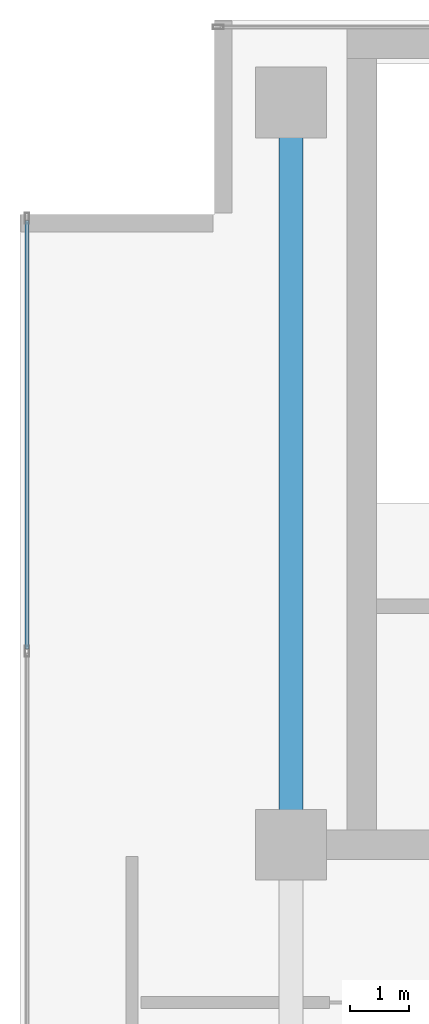
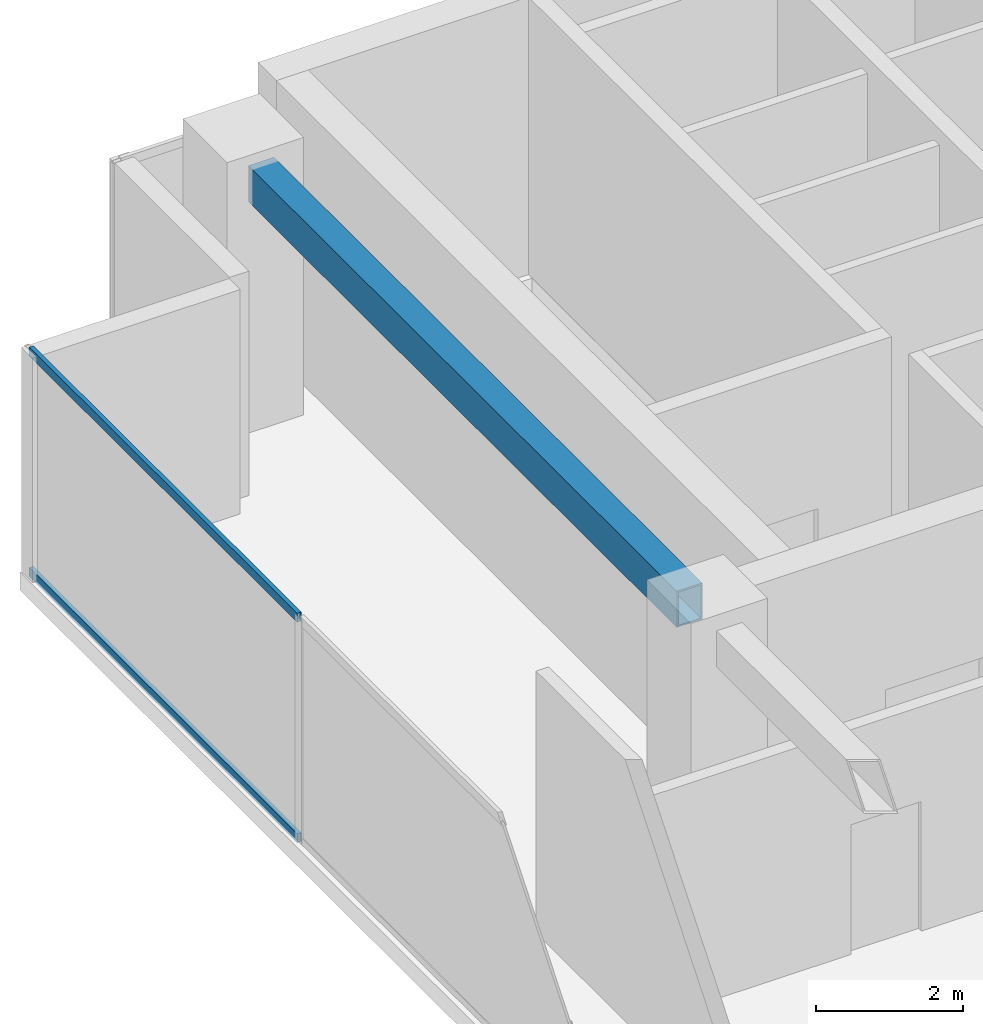
# One storey, part 8 of 19: 2 members, 1 beam, 1 element without a shape of its own.
"""IFC4 building model written with IfcOpenShell, lengths in metres."""

from ifc_helpers import new_model, si_unit, direction, frame, origin, origin_2d, place, context, subcontext, project, spatial, hollow_rectangle, extrude, source, transform, mapped, material, layer, layer_set, material_profile, profile_set, type_object, element, aggregate, save


model = new_model("IFC4")

# Units and contexts
model_context = context("Model", 3, precision=1e-05, world=origin(), true_north=direction((0.0, 1.0)))
body_context = subcontext(model_context, "Body", "Model", "MODEL_VIEW")
ifc_project = project(units=[si_unit("LENGTHUNIT", "METRE"), si_unit("AREAUNIT", "SQUARE_METRE"), si_unit("VOLUMEUNIT", "CUBIC_METRE"), si_unit("PLANEANGLEUNIT", "RADIAN"), si_unit("MASSUNIT", "GRAM", prefix="KILO")], contexts=[model_context])

# Site, building, storey
site_placement = place(None, origin())
site = spatial("IfcSite", under=ifc_project, at=site_placement, CompositionType="ELEMENT")
building_placement = place(site_placement, origin())
building = spatial("IfcBuilding", under=site, at=building_placement, Name="Sumidabori Civic Tower", CompositionType="ELEMENT")
storey_placement = place(building_placement, frame((0.0, 0.0, 293.60009765625)))
storey = spatial("IfcBuildingStorey", under=building, at=storey_placement, Name="L77", CompositionType="ELEMENT", Elevation=293.60009765625)

# Beam
ifc_material_1 = material(Name="Steel SN490", Category="steel")
ifc_material_profile_1 = material_profile(ifc_material_1, hollow_rectangle(XDim=0.39990234375, YDim=0.60009765625, WallThickness=0.02490234375, at=origin_2d()), Name="RHS 600x400x25")
ifc_profile_set_1 = profile_set([ifc_material_profile_1], Name="Steel SN490")
beam_type = type_object("IfcBeamType", Name="BM-CRN-RING", PredefinedType="BEAM", material=ifc_profile_set_1)
shared_shape_1 = source(origin(), body_context, "Body", "SweptSolid", [
    extrude(hollow_rectangle(XDim=0.39990234375, YDim=0.60009765625, WallThickness=0.02490234375, at=origin_2d()), origin(), (0.0, 0.0, 1.0), 11.64013671875),
])
beam_placement = place(storey_placement, frame((-16.800048828125, 10.679931640625, 4.039794921875), z_axis=(0.0, 1.0, 0.0), x_axis=(-1.0, 0.0, 0.0)))
element("IfcBeam", 1, at=beam_placement, inside=storey, type_object=beam_type, Name="Crown Base Ring Beam BR-1-10", PredefinedType="BEAM", context=body_context, shape_type="MappedRepresentation", body=[
    mapped(shared_shape_1, transform((0.0, 0.0, 0.0), x_axis=(1.0, 0.0, 0.0), y_axis=(0.0, 1.0, 0.0), z_axis=(0.0, 0.0, 1.0), scale=1.0)),
])

# Curtain wall, members
ifc_material_2 = material(Name="Anodised Bronze Aluminium AW-6063-T6", Category="aluminium")
ifc_layer = layer(ifc_material_2, 0.179931640625, Name="Anodised Bronze Aluminium AW-6063-T6")
ifc_layer_set = layer_set([ifc_layer], Name="Anodised Bronze Aluminium AW-6063-T6")
curtain_wall_type = type_object("IfcCurtainWallType", Name="CW-SYS-6", PredefinedType="NOTDEFINED", material=ifc_layer_set)
curtain_wall_placement = place(storey_placement, origin())
curtain_wall = element("IfcCurtainWall", 2, at=curtain_wall_placement, inside=storey, type_object=curtain_wall_type, Name="Curtain Wall CW:L77:R10", PredefinedType="NOTDEFINED")
ifc_material_profile_2 = material_profile(ifc_material_2, hollow_rectangle(XDim=0.06494140625, YDim=0.14990234375, WallThickness=0.0048828125, at=origin_2d()), Name="ALU TRANSOM 150x65")
ifc_profile_set_2 = profile_set([ifc_material_profile_2], Name="Anodised Bronze Aluminium AW-6063-T6")
member_type = type_object("IfcMemberType", Name="CW-TRN-150", PredefinedType="USERDEFINED", material=ifc_profile_set_2)
shared_shape_2 = source(origin(), body_context, "Body", "SweptSolid", [
    extrude(hollow_rectangle(XDim=0.06494140625, YDim=0.14990234375, WallThickness=0.0048828125, at=origin_2d()), origin(), (0.0, 0.0, 1.0), 7.280029296875),
])
member_1_placement = place(storey_placement, frame((-21.280029296875, 20.800048828125, 0.032470703125), z_axis=(0.0, -1.0, 0.0), x_axis=(1.0, 0.0, 0.0)))
member_1 = element("IfcMember", 3, at=member_1_placement, type_object=member_type, Name="CW-6 transom 1.1", ObjectType="TRANSOM", PredefinedType="USERDEFINED", context=body_context, shape_type="MappedRepresentation", body=[
    mapped(shared_shape_2, transform((0.0, 0.0, 0.0), x_axis=(1.0, 0.0, 0.0), y_axis=(0.0, 1.0, 0.0), z_axis=(0.0, 0.0, 1.0), scale=1.0)),
])
member_2_placement = place(storey_placement, frame((-21.280029296875, 20.800048828125, 3.6875), z_axis=(0.0, -1.0, 0.0), x_axis=(1.0, 0.0, 0.0)))
member_2 = element("IfcMember", 4, at=member_2_placement, type_object=member_type, Name="CW-6 transom 1.2", ObjectType="TRANSOM", PredefinedType="USERDEFINED", context=body_context, shape_type="MappedRepresentation", body=[
    mapped(shared_shape_2, transform((0.0, 0.0, 0.0), x_axis=(1.0, 0.0, 0.0), y_axis=(0.0, 1.0, 0.0), z_axis=(0.0, 0.0, 1.0), scale=1.0)),
])
aggregate(curtain_wall, [member_1, member_2])

save(model, "model.ifc")
